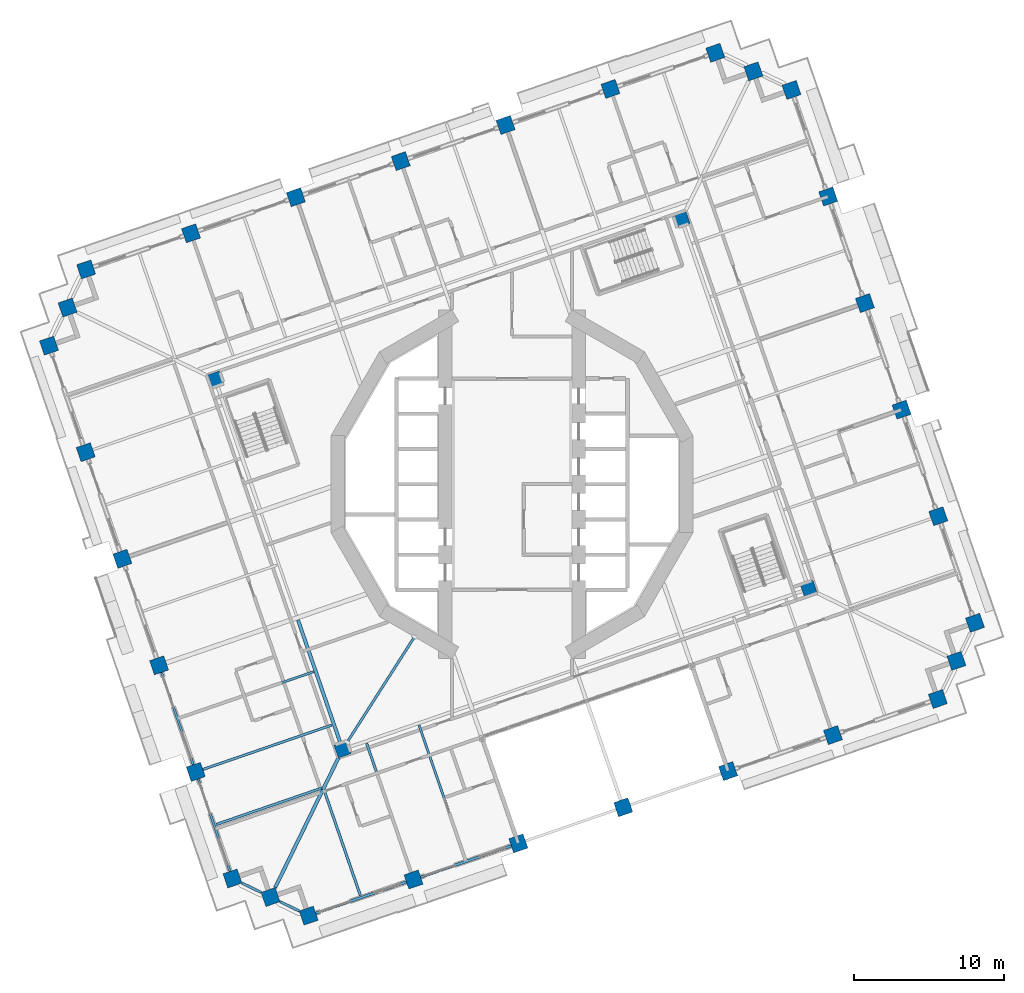
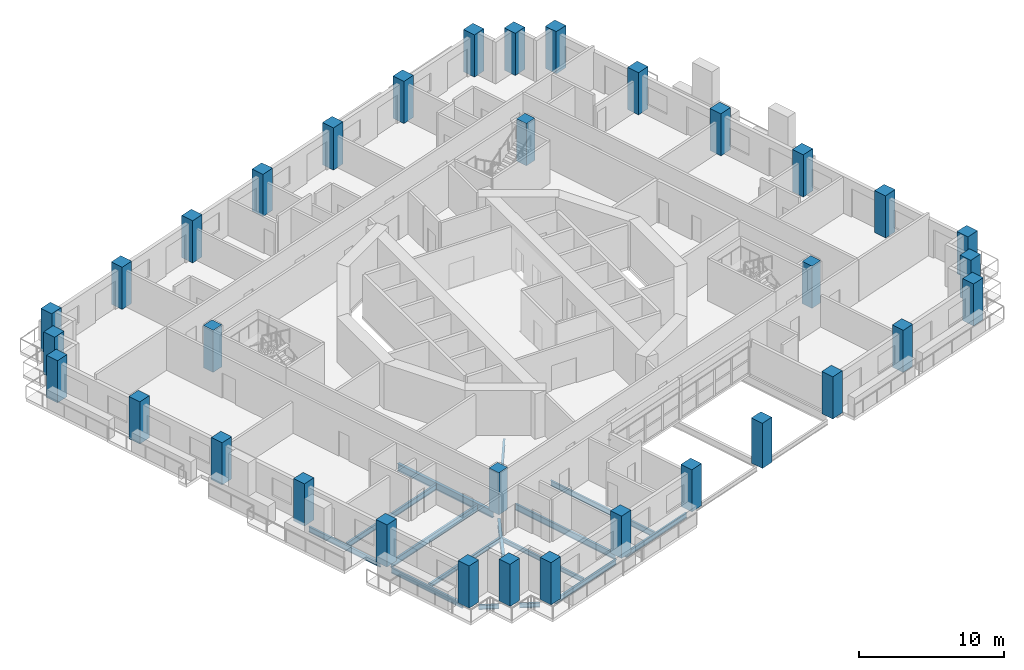
# One storey, part 1 of 22: 34 columns, 15 beams.
"""IFC4 building model written with IfcOpenShell, lengths in metres."""

from ifc_helpers import new_model, si_unit, direction, frame, origin, origin_2d, place, context, subcontext, project, spatial, rectangle, i_section, extrude, material, material_profile, profile_set, type_object, element, save


model = new_model("IFC4")

# Units and contexts
model_context = context("Model", 3, precision=1e-05, world=origin(), true_north=direction((0.0, 1.0)))
body_context = subcontext(model_context, "Body", "Model", "MODEL_VIEW")
ifc_project = project(units=[si_unit("LENGTHUNIT", "METRE"), si_unit("AREAUNIT", "SQUARE_METRE"), si_unit("VOLUMEUNIT", "CUBIC_METRE"), si_unit("PLANEANGLEUNIT", "RADIAN"), si_unit("MASSUNIT", "GRAM", prefix="KILO")], contexts=[model_context])

# Site, building, storey
site_placement = place(None, origin())
site = spatial("IfcSite", under=ifc_project, at=site_placement, CompositionType="ELEMENT")
building_placement = place(site_placement, origin())
building = spatial("IfcBuilding", under=site, at=building_placement, Name="Cantera Rosa Tower", CompositionType="ELEMENT")
storey_placement = place(building_placement, frame((0.0, 0.0, 104.10009765625)))
storey = spatial("IfcBuildingStorey", under=building, at=storey_placement, Name="L20", CompositionType="ELEMENT", Elevation=104.10009765625)

# Columns
ifc_material_1 = material(Name="Concrete C70/85", Category="concrete")
ifc_material_profile_1 = material_profile(ifc_material_1, rectangle(XDim=1.0, YDim=1.0, at=origin_2d()), Name="RC COLUMN RC1000X1000 C70/85")
ifc_profile_set_1 = profile_set([ifc_material_profile_1], Name="Concrete C70/85")
column_type_1 = type_object("IfcColumnType", Name="RC COLUMN RC1000X1000 C70/85", PredefinedType="COLUMN", material=ifc_profile_set_1)
for number, where, z_axis, x_axis, name in (
    (1, (30.893310546875, -9.245849609375, 0.0), (0.0, 0.0, 1.0), (0.945518575599, 0.325568154457, 0.0), "C-Z2-01 L20"),
    (2, (28.445068359375, -2.135498046875, 0.0), (0.0, 0.0, 1.0), (0.945518575599, 0.325568154457, 0.0), "C-Z2-02 L20"),
    (3, (25.996826171875, 4.974853515625, 0.0), (0.0, 0.0, 1.0), (0.945518575599, 0.325568154457, 0.0), "C-Z2-03 L20"),
    (4, (23.54833984375, 12.0849609375, 0.0), (0.0, 0.0, 1.0), (0.945518575599, 0.325568154457, 0.0), "C-Z2-04 L20"),
    (5, (21.10009765625, 19.1953125, 0.0), (0.0, 0.0, 1.0), (0.945518575599, 0.325568154457, 0.0), "C-Z2-05 L20"),
    (6, (18.65185546875, 26.3056640625, 0.0), (0.0, 0.0, 1.0), (0.945518575599, 0.325568154457, 0.0), "C-Z2-06 L20"),
    (7, (16.109619140625, 27.545654296875, 0.0), (0.0, 0.0, 1.0), (0.945518575599, 0.325568154457, 0.0), "C-Z2-07 L20"),
    (8, (13.567626953125, 28.785400390625, 0.0), (0.0, 0.0, 1.0), (0.945518575599, 0.325568154457, 0.0), "C-Z2-08 L20"),
    (9, (6.57080078125, 26.376220703125, 0.0), (0.0, 0.0, 1.0), (0.945518575599, 0.325568154457, 0.0), "C-Z2-09 L20"),
    (10, (-0.426025390625, 23.967041015625, 0.0), (0.0, 0.0, 1.0), (0.945518575599, 0.325568154457, 0.0), "C-Z2-10 L20"),
    (11, (-7.4228515625, 21.557861328125, 0.0), (0.0, 0.0, 1.0), (0.945518575599, 0.325568154457, 0.0), "C-Z2-11 L20"),
    (12, (-14.419677734375, 19.148681640625, 0.0), (0.0, 0.0, 1.0), (0.945518575599, 0.325568154457, 0.0), "C-Z2-12 L20"),
    (13, (-21.416748046875, 16.739501953125, 0.0), (0.0, 0.0, 1.0), (0.945518575599, 0.325568154457, 0.0), "C-Z2-13 L20"),
    (14, (-28.41357421875, 14.330322265625, 0.0), (0.0, 0.0, 1.0), (0.945518575599, 0.325568154457, 0.0), "C-Z2-14 L20"),
    (15, (-29.6533203125, 11.7880859375, 0.0), (0.0, 0.0, 1.0), (0.945518575599, 0.325568154457, 0.0), "C-Z2-15 L20"),
    (16, (-30.893310546875, 9.245849609375, 0.0), (0.0, 0.0, 1.0), (0.945518575599, 0.325568154457, 0.0), "C-Z2-16 L20"),
    (17, (-28.445068359375, 2.135498046875, 0.0), (0.0, 0.0, 1.0), (0.945518575599, 0.325568154457, 0.0), "C-Z2-17 L20"),
    (18, (-25.996826171875, -4.974853515625, 0.0), (0.0, 0.0, 1.0), (0.945518575599, 0.325568154457, 0.0), "C-Z2-18 L20"),
    (19, (-23.54833984375, -12.0849609375, 0.0), (0.0, 0.0, 1.0), (0.945518575599, 0.325568154457, 0.0), "C-Z2-19 L20"),
    (20, (-21.10009765625, -19.1953125, 0.0), (0.0, 0.0, 1.0), (0.945518575599, 0.325568154457, 0.0), "C-Z2-20 L20"),
    (21, (-18.65185546875, -26.3056640625, 0.0), (0.0, 0.0, 1.0), (0.945518575599, 0.325568154457, 0.0), "C-Z2-21 L20"),
    (22, (-16.109619140625, -27.545654296875, 0.0), (0.0, 0.0, 1.0), (0.945518575599, 0.325568154457, 0.0), "C-Z2-22 L20"),
    (23, (-13.567626953125, -28.785400390625, 0.0), (0.0, 0.0, 1.0), (0.945518575599, 0.325568154457, 0.0), "C-Z2-23 L20"),
    (24, (-6.57080078125, -26.376220703125, 0.0), (0.0, 0.0, 1.0), (0.945518575599, 0.325568154457, 0.0), "C-Z2-24 L20"),
    (25, (0.426025390625, -23.967041015625, 0.0), (0.0, 0.0, 1.0), (0.945518575599, 0.325568154457, 0.0), "C-Z2-25 L20"),
):
    element("IfcColumn", number, at=place(storey_placement, frame(where, z_axis=z_axis, x_axis=x_axis)), inside=storey, type_object=column_type_1, Name=name, PredefinedType="COLUMN", context=body_context, shape_type="SweptSolid", body=[
        extrude(rectangle(XDim=1.0, YDim=1.0, at=origin_2d()), origin(), (0.0, 0.0, 1.0), 3.5498046875),
    ])
column_placement = place(storey_placement, frame((7.4228515625, -21.557861328125, -0.25), z_axis=(0.0, 0.0, 1.0), x_axis=(0.945518575599, 0.325568154457, 0.0)))
element("IfcColumn", 26, at=column_placement, inside=storey, type_object=column_type_1, Name="C-Z2-26 L20", PredefinedType="COLUMN", context=body_context, shape_type="SweptSolid", body=[
    extrude(rectangle(XDim=1.0, YDim=1.0, at=origin_2d()), origin(), (0.0, 0.0, 1.0), 3.7998046875),
])
for number, where, z_axis, x_axis, name in (
    (27, (14.419677734375, -19.148681640625, 0.0), (0.0, 0.0, 1.0), (0.945518575599, 0.325568154457, 0.0), "C-Z2-27 L20"),
    (28, (21.416748046875, -16.739501953125, 0.0), (0.0, 0.0, 1.0), (0.945518575599, 0.325568154457, 0.0), "C-Z2-28 L20"),
    (29, (28.41357421875, -14.330322265625, 0.0), (0.0, 0.0, 1.0), (0.945518575599, 0.325568154457, 0.0), "C-Z2-29 L20"),
    (30, (29.6533203125, -11.7880859375, 0.0), (0.0, 0.0, 1.0), (0.945518575599, 0.325568154457, 0.0), "C-Z2-30 L20"),
):
    element("IfcColumn", number, at=place(storey_placement, frame(where, z_axis=z_axis, x_axis=x_axis)), inside=storey, type_object=column_type_1, Name=name, PredefinedType="COLUMN", context=body_context, shape_type="SweptSolid", body=[
        extrude(rectangle(XDim=1.0, YDim=1.0, at=origin_2d()), origin(), (0.0, 0.0, 1.0), 3.5498046875),
    ])
ifc_material_2 = material(Name="Concrete C70/85", Category="concrete")
ifc_material_profile_2 = material_profile(ifc_material_2, rectangle(XDim=0.89990234375, YDim=0.89990234375, at=origin_2d()), Name="RC RING COLUMN RC900X900 C70/85")
ifc_profile_set_2 = profile_set([ifc_material_profile_2], Name="Concrete C70/85")
column_type_2 = type_object("IfcColumnType", Name="RC RING COLUMN RC900X900 C70/85", PredefinedType="COLUMN", material=ifc_profile_set_2)
for number, where, z_axis, x_axis, name in (
    (31, (11.30517578125, 17.694580078125, 0.0), (0.0, 0.0, 1.0), (0.945518575599, 0.325568154457, 0.0), "CI-Z2-1 L20"),
    (32, (-19.802490234375, 6.9833984375, 0.0), (0.0, 0.0, 1.0), (0.945518575599, 0.325568154457, 0.0), "CI-Z2-2 L20"),
    (33, (-11.30517578125, -17.694580078125, 0.0), (0.0, 0.0, 1.0), (0.945518575599, 0.325568154457, 0.0), "CI-Z2-3 L20"),
    (34, (19.802490234375, -6.9833984375, 0.0), (0.0, 0.0, 1.0), (0.945518575599, 0.325568154457, 0.0), "CI-Z2-4 L20"),
):
    element("IfcColumn", number, at=place(storey_placement, frame(where, z_axis=z_axis, x_axis=x_axis)), inside=storey, type_object=column_type_2, Name=name, PredefinedType="COLUMN", context=body_context, shape_type="SweptSolid", body=[
        extrude(rectangle(XDim=0.89990234375, YDim=0.89990234375, at=origin_2d()), origin(), (0.0, 0.0, 1.0), 3.5498046875),
    ])

# Beams
ifc_material_3 = material(Name="Steel ASTM A992 (Fy 345 MPa)", Category="steel")
ifc_material_profile_3 = material_profile(ifc_material_3, i_section(OverallWidth=0.166015625, OverallDepth=0.528076171875, WebThickness=0.009765625, FlangeThickness=0.013671875, FilletRadius=0.0126953125, at=origin_2d()), Name="W530X74")
ifc_profile_set_3 = profile_set([ifc_material_profile_3], Name="Steel ASTM A992 (Fy 345 MPa)")
beam_type_1 = type_object("IfcBeamType", Name="STEEL BEAM W530X74", PredefinedType="BEAM", material=ifc_profile_set_3)
for number, where, z_axis, x_axis, name in (
    (35, (-6.7333984375, -25.903564453125, -0.51416015625), (-0.325588827377, 0.945511457089, 0.0), (-0.945511457089, -0.325588827377, 0.0), "G-Z2-10 L20"),
    (36, (-20.62744140625, -19.032470703125, -0.51416015625), (0.94551971591, 0.325564842737, 0.0), (-0.325564842737, 0.94551971591, 0.0), "G-Z2-18 L20"),
):
    element("IfcBeam", number, at=place(storey_placement, frame(where, z_axis=z_axis, x_axis=x_axis)), inside=storey, type_object=beam_type_1, Name=name, PredefinedType="BEAM", context=body_context, shape_type="SweptSolid", body=[
        extrude(i_section(OverallWidth=0.166015625, OverallDepth=0.528076171875, WebThickness=0.009765625, FlangeThickness=0.013671875, FilletRadius=0.0126953125, at=origin_2d()), origin(), (0.0, 0.0, 1.0), 9.10009765625),
    ])
beam_1_placement = place(storey_placement, frame((-10.995849609375, -17.21044921875, -0.51416015625), z_axis=(0.538396209095, 0.842691830999, 0.0), x_axis=(-0.842691830999, 0.538396209095, 0.0)))
element("IfcBeam", 37, at=beam_1_placement, inside=storey, type_object=beam_type_1, Name="PG-Z2-01 L20", PredefinedType="BEAM", context=body_context, shape_type="SweptSolid", body=[
    extrude(i_section(OverallWidth=0.166015625, OverallDepth=0.528076171875, WebThickness=0.009765625, FlangeThickness=0.013671875, FilletRadius=0.0126953125, at=origin_2d()), origin(), (0.0, 0.0, 1.0), 8.3369140625),
])
ifc_material_4 = material(Name="Steel ASTM A992 (Fy 345 MPa)", Category="steel")
ifc_material_profile_4 = material_profile(ifc_material_4, i_section(OverallWidth=0.22802734375, OverallDepth=0.60205078125, WebThickness=0.010498046875, FlangeThickness=0.014892578125, FilletRadius=0.0126953125, at=origin_2d()), Name="W610X101")
ifc_profile_set_4 = profile_set([ifc_material_profile_4], Name="Steel ASTM A992 (Fy 345 MPa)")
beam_type_2 = type_object("IfcBeamType", Name="STEEL BEAM W610X101", PredefinedType="BEAM", material=ifc_profile_set_4)
beam_2_placement = place(storey_placement, frame((-15.7998046875, -26.909912109375, -0.551025390625), z_axis=(0.438387618569, 0.898786012288, 0.0), x_axis=(-0.898786012288, 0.438387618569, 0.0)))
element("IfcBeam", 38, at=beam_2_placement, inside=storey, type_object=beam_type_2, Name="CB-Z2-03 L20", PredefinedType="BEAM", context=body_context, shape_type="SweptSolid", body=[
    extrude(i_section(OverallWidth=0.22802734375, OverallDepth=0.60205078125, WebThickness=0.010498046875, FlangeThickness=0.014892578125, FilletRadius=0.0126953125, at=origin_2d()), origin(), (0.0, 0.0, 1.0), 9.61669921875),
])
beam_3_placement = place(storey_placement, frame((-11.45166015625, -17.26904296875, -0.551025390625), z_axis=(-0.325559468466, 0.945521566381, 0.0), x_axis=(-0.945521566381, -0.325559468466, 0.0)))
element("IfcBeam", 39, at=beam_3_placement, inside=storey, type_object=beam_type_2, Name="RB-Z2-12 L20", PredefinedType="BEAM", context=body_context, shape_type="SweptSolid", body=[
    extrude(i_section(OverallWidth=0.22802734375, OverallDepth=0.60205078125, WebThickness=0.010498046875, FlangeThickness=0.014892578125, FilletRadius=0.0126953125, at=origin_2d()), origin(), (0.0, 0.0, 1.0), 8.68994140625),
])
ifc_material_5 = material(Name="Steel ASTM A992 (Fy 345 MPa)", Category="steel")
ifc_material_profile_5 = material_profile(ifc_material_5, i_section(OverallWidth=0.1708984375, OverallDepth=0.35595703125, WebThickness=0.00732421875, FlangeThickness=0.01171875, FilletRadius=0.010009765625, at=origin_2d()), Name="W360X51")
ifc_profile_set_5 = profile_set([ifc_material_profile_5], Name="Steel ASTM A992 (Fy 345 MPa)")
beam_type_3 = type_object("IfcBeamType", Name="STEEL JOIST W360X51", PredefinedType="JOIST", material=ifc_profile_set_5)
beam_4_placement = place(storey_placement, frame((-10.117919921875, -27.43896484375, -0.427978515625), z_axis=(-0.325565645331, 0.945519439557, 0.0), x_axis=(-0.945519439557, -0.325565645331, 0.0)))
element("IfcBeam", 40, at=beam_4_placement, inside=storey, type_object=beam_type_3, Name="B-Z2-12 L20", PredefinedType="JOIST", context=body_context, shape_type="SweptSolid", body=[
    extrude(i_section(OverallWidth=0.1708984375, OverallDepth=0.35595703125, WebThickness=0.00732421875, FlangeThickness=0.01171875, FilletRadius=0.010009765625, at=origin_2d()), origin(), (0.0, 0.0, 1.0), 7.39990234375),
])
beam_5_placement = place(storey_placement, frame((-19.734130859375, -22.70166015625, -0.427978515625), z_axis=(0.945518264054, 0.32556905925, 0.0), x_axis=(-0.32556905925, 0.945518264054, 0.0)))
element("IfcBeam", 41, at=beam_5_placement, inside=storey, type_object=beam_type_3, Name="B-Z2-22 L20", PredefinedType="JOIST", context=body_context, shape_type="SweptSolid", body=[
    extrude(i_section(OverallWidth=0.1708984375, OverallDepth=0.35595703125, WebThickness=0.00732421875, FlangeThickness=0.01171875, FilletRadius=0.010009765625, at=origin_2d()), origin(), (0.0, 0.0, 1.0), 7.4599609375),
])
ifc_material_6 = material(Name="Steel ASTM A992 (Fy 345 MPa)", Category="steel")
ifc_material_profile_6 = material_profile(ifc_material_6, i_section(OverallWidth=0.154052734375, OverallDepth=0.4599609375, WebThickness=0.009033203125, FlangeThickness=0.015380859375, FilletRadius=0.01025390625, at=origin_2d()), Name="W460X68")
ifc_profile_set_6 = profile_set([ifc_material_profile_6], Name="Steel ASTM A992 (Fy 345 MPa)")
beam_type_4 = type_object("IfcBeamType", Name="STEEL JOIST W460X68", PredefinedType="JOIST", material=ifc_profile_set_6)
for number, where, z_axis, x_axis, name in (
    (42, (-3.12109375, -25.02978515625, -0.47998046875), (-0.325575037498, 0.94551620555, 0.0), (-0.94551620555, -0.325575037498, 0.0), "B-Z2-13 L20"),
    (43, (-22.182373046875, -15.59130859375, -0.47998046875), (0.94551620555, 0.325575037498, 0.0), (-0.325575037498, 0.94551620555, 0.0), "B-Z2-21 L20"),
):
    element("IfcBeam", number, at=place(storey_placement, frame(where, z_axis=z_axis, x_axis=x_axis)), inside=storey, type_object=beam_type_4, Name=name, PredefinedType="JOIST", context=body_context, shape_type="SweptSolid", body=[
        extrude(i_section(OverallWidth=0.154052734375, OverallDepth=0.4599609375, WebThickness=0.009033203125, FlangeThickness=0.015380859375, FilletRadius=0.01025390625, at=origin_2d()), origin(), (0.0, 0.0, 1.0), 9.449951171875),
    ])
ifc_material_7 = material(Name="Steel ASTM A992 (Fy 345 MPa)", Category="steel")
ifc_material_profile_7 = material_profile(ifc_material_7, i_section(OverallWidth=0.1708984375, OverallDepth=0.35595703125, WebThickness=0.00732421875, FlangeThickness=0.01171875, FilletRadius=0.010009765625, at=origin_2d()), Name="W360X51")
ifc_profile_set_7 = profile_set([ifc_material_profile_7], Name="Steel ASTM A992 (Fy 345 MPa)")
beam_type_5 = type_object("IfcBeamType", Name="STEEL SPANDREL BEAM W360X51", PredefinedType="SPANDREL", material=ifc_profile_set_7)
for number, where, z_axis, x_axis, name in (
    (44, (-18.016357421875, -26.61572265625, -0.427978515625), (0.898803287583, -0.438352198842, 0.0), (0.438352198842, 0.898803287583, 0.0), "EB-Z2-21 L20"),
    (45, (-15.47412109375, -27.85546875, -0.427978515625), (0.898803287583, -0.438352198842, 0.0), (0.438352198842, 0.898803287583, 0.0), "EB-Z2-22 L20"),
):
    element("IfcBeam", number, at=place(storey_placement, frame(where, z_axis=z_axis, x_axis=x_axis)), inside=storey, type_object=beam_type_5, Name=name, PredefinedType="SPANDREL", context=body_context, shape_type="SweptSolid", body=[
        extrude(i_section(OverallWidth=0.1708984375, OverallDepth=0.35595703125, WebThickness=0.00732421875, FlangeThickness=0.01171875, FilletRadius=0.010009765625, at=origin_2d()), origin(), (0.0, 0.0, 1.0), 1.4140625),
    ])
ifc_material_8 = material(Name="Steel ASTM A992 (Fy 345 MPa)", Category="steel")
ifc_material_profile_8 = material_profile(ifc_material_8, i_section(OverallWidth=0.177978515625, OverallDepth=0.406005859375, WebThickness=0.0078125, FlangeThickness=0.0126953125, FilletRadius=0.01025390625, at=origin_2d()), Name="W410X60")
ifc_profile_set_8 = profile_set([ifc_material_profile_8], Name="Steel ASTM A992 (Fy 345 MPa)")
beam_type_6 = type_object("IfcBeamType", Name="STEEL SPANDREL BEAM W410X60", PredefinedType="SPANDREL", material=ifc_profile_set_8)
for number, where, z_axis, x_axis, name in (
    (46, (-13.0947265625, -28.62255859375, -0.453125), (0.945524496524, 0.325550958337, 0.0), (-0.325550958337, 0.945524496524, 0.0), "EB-Z2-23 L20"),
    (47, (-6.097900390625, -26.21337890625, -0.453125), (0.945524496524, 0.325550958337, 0.0), (-0.325550958337, 0.945524496524, 0.0), "EB-Z2-24 L20"),
):
    element("IfcBeam", number, at=place(storey_placement, frame(where, z_axis=z_axis, x_axis=x_axis)), inside=storey, type_object=beam_type_6, Name=name, PredefinedType="SPANDREL", context=body_context, shape_type="SweptSolid", body=[
        extrude(i_section(OverallWidth=0.177978515625, OverallDepth=0.406005859375, WebThickness=0.0078125, FlangeThickness=0.0126953125, FilletRadius=0.01025390625, at=origin_2d()), origin(), (0.0, 0.0, 1.0), 6.39990234375),
    ])
ifc_material_9 = material(Name="Steel ASTM A992 (Fy 345 MPa)", Category="steel")
ifc_material_profile_9 = material_profile(ifc_material_9, i_section(OverallWidth=0.154052734375, OverallDepth=0.4599609375, WebThickness=0.009033203125, FlangeThickness=0.015380859375, FilletRadius=0.01025390625, at=origin_2d()), Name="W460X68")
ifc_profile_set_9 = profile_set([ifc_material_profile_9], Name="Steel ASTM A992 (Fy 345 MPa)")
beam_type_7 = type_object("IfcBeamType", Name="STEEL SPANDREL BEAM W460X68", PredefinedType="SPANDREL", material=ifc_profile_set_9)
beam_6_placement = place(storey_placement, frame((-23.3857421875, -12.557861328125, -0.47998046875), z_axis=(0.325580990241, -0.945514155787, 0.0), x_axis=(0.945514155787, 0.325580990241, 0.0)))
element("IfcBeam", 48, at=beam_6_placement, inside=storey, type_object=beam_type_7, Name="EB-Z2-19 L20", PredefinedType="SPANDREL", context=body_context, shape_type="SweptSolid", body=[
    extrude(i_section(OverallWidth=0.154052734375, OverallDepth=0.4599609375, WebThickness=0.009033203125, FlangeThickness=0.015380859375, FilletRadius=0.01025390625, at=origin_2d()), origin(), (0.0, 0.0, 1.0), 6.52001953125),
])
beam_7_placement = place(storey_placement, frame((-20.9375, -19.668212890625, -0.47998046875), z_axis=(0.325592517631, -0.945510186335, 0.0), x_axis=(0.945510186335, 0.325592517631, 0.0)))
element("IfcBeam", 49, at=beam_7_placement, inside=storey, type_object=beam_type_7, Name="EB-Z2-20 L20", PredefinedType="SPANDREL", context=body_context, shape_type="SweptSolid", body=[
    extrude(i_section(OverallWidth=0.154052734375, OverallDepth=0.4599609375, WebThickness=0.009033203125, FlangeThickness=0.015380859375, FilletRadius=0.01025390625, at=origin_2d()), origin(), (0.0, 0.0, 1.0), 6.519775390625),
])

save(model, "model.ifc")
